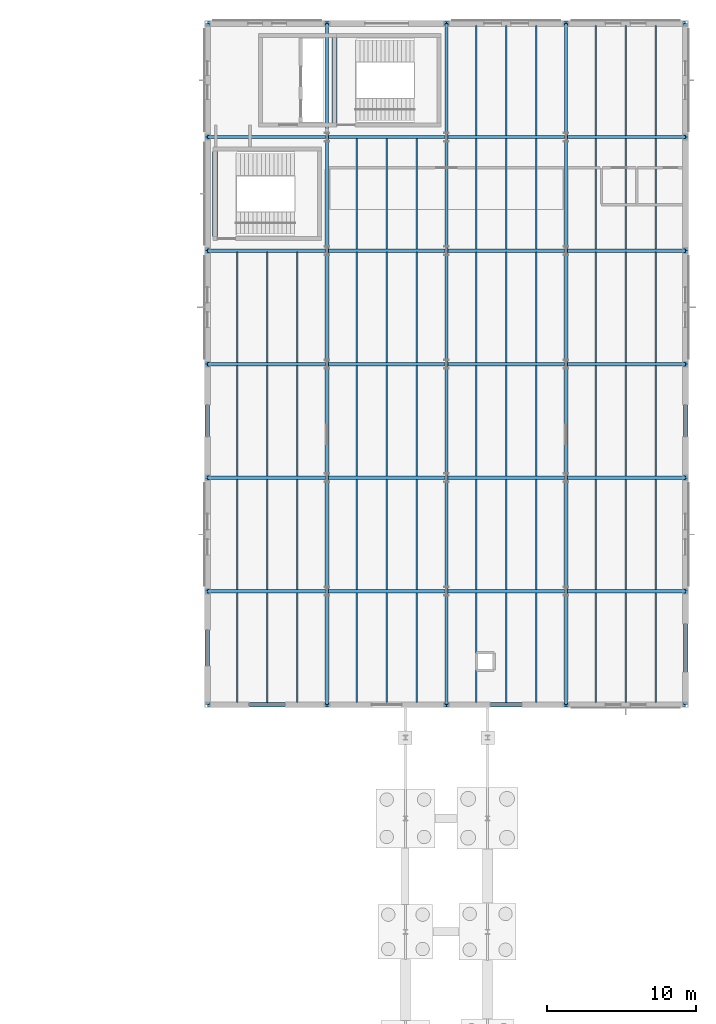
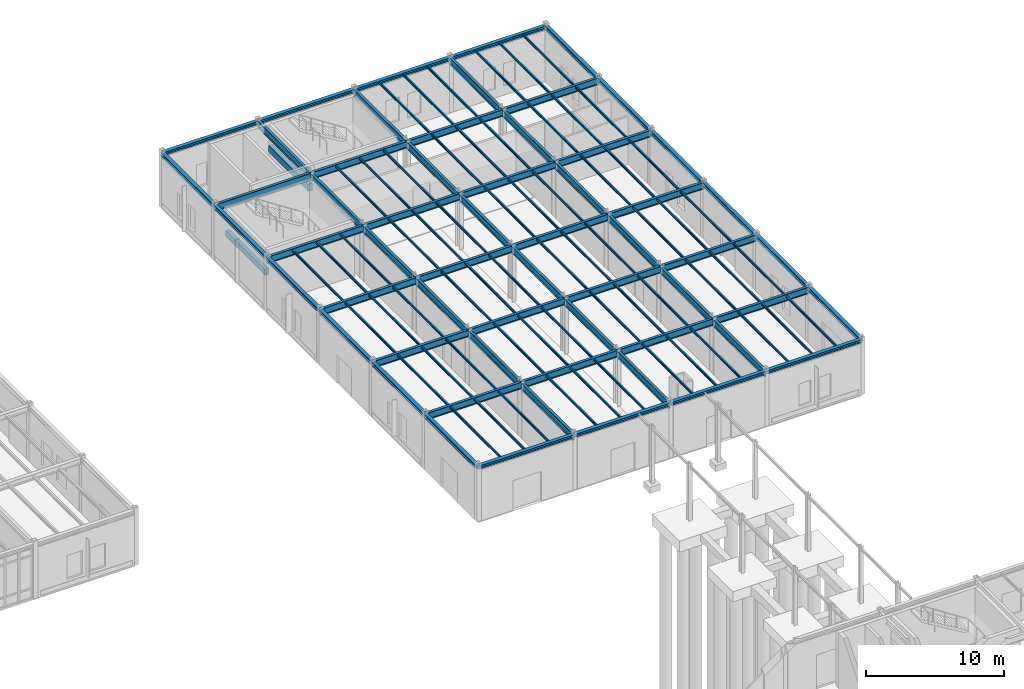
# One storey, part 71 of 109: 123 beams.
"""IFC4 building model written with IfcOpenShell, lengths in metres."""

from ifc_helpers import new_model, si_unit, direction, frame, origin, origin_2d, place, context, subcontext, project, spatial, rectangle, i_section, extrude, material, material_profile, profile_set, type_object, element, save


model = new_model("IFC4")

# Units and contexts
model_context = context("Model", 3, precision=1e-05, world=origin(), true_north=direction((0.0, 1.0)))
body_context = subcontext(model_context, "Body", "Model", "MODEL_VIEW")
ifc_project = project(units=[si_unit("LENGTHUNIT", "METRE"), si_unit("AREAUNIT", "SQUARE_METRE"), si_unit("VOLUMEUNIT", "CUBIC_METRE"), si_unit("PLANEANGLEUNIT", "RADIAN"), si_unit("MASSUNIT", "GRAM", prefix="KILO")], contexts=[model_context])

# Site, building, storey
site_placement = place(None, origin())
site = spatial("IfcSite", under=ifc_project, at=site_placement, CompositionType="ELEMENT")
building_placement = place(site_placement, origin())
building = spatial("IfcBuilding", under=site, at=building_placement, Name="Montecoro Central Library", CompositionType="ELEMENT")
storey_placement = place(building_placement, origin())
storey = spatial("IfcBuildingStorey", under=building, at=storey_placement, Name="L00", CompositionType="ELEMENT", Elevation=0.0)

# Beams
ifc_material_1 = material(Name="Steel S355J2", Category="steel")
ifc_material_profile_1 = material_profile(ifc_material_1, i_section(OverallWidth=0.219970703125, OverallDepth=0.60009765625, WebThickness=0.011962890625, FlangeThickness=0.01904296875, at=origin_2d()), Name="IPE 600")
ifc_profile_set_1 = profile_set([ifc_material_profile_1], Name="Steel S355J2")
beam_type_1 = type_object("IfcBeamType", Name="BM-G-IPE600", PredefinedType="USERDEFINED", material=ifc_profile_set_1)
for number, where, z_axis, x_axis, name in (
    (1, (141.0048828125, 81.0, 4.534912109375), (1.0, 0.0, 0.0), (0.0, 1.0, 0.0), "V5-L00-BX-1819-L"),
    (2, (149.0048828125, 81.0, 4.534912109375), (1.0, 0.0, 0.0), (0.0, 1.0, 0.0), "V5-L00-BX-1920-L"),
    (3, (157.0048828125, 81.0, 4.534912109375), (1.0, 0.0, 0.0), (0.0, 1.0, 0.0), "V5-L00-BX-2021-L"),
    (4, (165.0048828125, 81.0, 4.534912109375), (1.0, 0.0, 0.0), (0.0, 1.0, 0.0), "V5-L00-BX-2122-L"),
    (5, (141.0048828125, 88.60009765625, 4.534912109375), (1.0, 0.0, 0.0), (0.0, 1.0, 0.0), "V5-L00-BX-1819-M"),
    (6, (149.0048828125, 88.60009765625, 4.534912109375), (1.0, 0.0, 0.0), (0.0, 1.0, 0.0), "V5-L00-BX-1920-M"),
    (7, (157.0048828125, 88.60009765625, 4.534912109375), (1.0, 0.0, 0.0), (0.0, 1.0, 0.0), "V5-L00-BX-2021-M"),
    (8, (165.0048828125, 88.60009765625, 4.534912109375), (1.0, 0.0, 0.0), (0.0, 1.0, 0.0), "V5-L00-BX-2122-M"),
    (9, (141.0048828125, 96.199951171875, 4.534912109375), (1.0, 0.0, 0.0), (0.0, 1.0, 0.0), "V5-L00-BX-1819-N"),
    (10, (149.0048828125, 96.199951171875, 4.534912109375), (1.0, 0.0, 0.0), (0.0, 1.0, 0.0), "V5-L00-BX-1920-N"),
    (11, (157.0048828125, 96.199951171875, 4.534912109375), (1.0, 0.0, 0.0), (0.0, 1.0, 0.0), "V5-L00-BX-2021-N"),
    (12, (165.0048828125, 96.199951171875, 4.534912109375), (1.0, 0.0, 0.0), (0.0, 1.0, 0.0), "V5-L00-BX-2122-N"),
    (13, (141.0048828125, 103.800048828125, 4.534912109375), (1.0, 0.0, 0.0), (0.0, 1.0, 0.0), "V5-L00-BX-1819-P"),
    (14, (149.0048828125, 103.800048828125, 4.534912109375), (1.0, 0.0, 0.0), (0.0, 1.0, 0.0), "V5-L00-BX-1920-P"),
    (15, (157.0048828125, 103.800048828125, 4.534912109375), (1.0, 0.0, 0.0), (0.0, 1.0, 0.0), "V5-L00-BX-2021-P"),
    (16, (165.0048828125, 103.800048828125, 4.534912109375), (1.0, 0.0, 0.0), (0.0, 1.0, 0.0), "V5-L00-BX-2122-P"),
    (17, (141.0048828125, 111.39990234375, 4.534912109375), (1.0, 0.0, 0.0), (0.0, 1.0, 0.0), "V5-L00-BX-1819-Q"),
    (18, (149.0048828125, 111.39990234375, 4.534912109375), (1.0, 0.0, 0.0), (0.0, 1.0, 0.0), "V5-L00-BX-1920-Q"),
    (19, (157.0048828125, 111.39990234375, 4.534912109375), (1.0, 0.0, 0.0), (0.0, 1.0, 0.0), "V5-L00-BX-2021-Q"),
    (20, (165.0048828125, 111.39990234375, 4.534912109375), (1.0, 0.0, 0.0), (0.0, 1.0, 0.0), "V5-L00-BX-2122-Q"),
):
    element("IfcBeam", number, at=place(storey_placement, frame(where, z_axis=z_axis, x_axis=x_axis)), inside=storey, type_object=beam_type_1, Name=name, ObjectType="GIRDER", PredefinedType="USERDEFINED", context=body_context, shape_type="SweptSolid", body=[
        extrude(i_section(OverallWidth=0.219970703125, OverallDepth=0.60009765625, WebThickness=0.011962890625, FlangeThickness=0.01904296875, at=origin_2d()), origin(), (0.0, 0.0, 1.0), 7.990234375),
    ])
for number, where, z_axis, x_axis, name in (
    (21, (149.0, 73.405029296875, 4.534912109375), (0.0, 1.0, 0.0), (-1.0, 0.0, 0.0), "V5-L00-BY-19-KL"),
    (22, (149.0, 81.0048828125, 4.534912109375), (0.0, 1.0, 0.0), (-1.0, 0.0, 0.0), "V5-L00-BY-19-LM"),
    (23, (149.0, 88.60498046875, 4.534912109375), (0.0, 1.0, 0.0), (-1.0, 0.0, 0.0), "V5-L00-BY-19-MN"),
):
    element("IfcBeam", number, at=place(storey_placement, frame(where, z_axis=z_axis, x_axis=x_axis)), inside=storey, type_object=beam_type_1, Name=name, ObjectType="GIRDER", PredefinedType="USERDEFINED", context=body_context, shape_type="SweptSolid", body=[
        extrude(i_section(OverallWidth=0.219970703125, OverallDepth=0.60009765625, WebThickness=0.011962890625, FlangeThickness=0.01904296875, at=origin_2d()), origin(), (0.0, 0.0, 1.0), 7.590087890625),
    ])
beam_1_placement = place(storey_placement, frame((149.0, 96.205078125, 4.534912109375), z_axis=(0.0, 1.0, 0.0), x_axis=(-1.0, 0.0, 0.0)))
element("IfcBeam", 24, at=beam_1_placement, inside=storey, type_object=beam_type_1, Name="V5-L00-BY-19-NP", ObjectType="GIRDER", PredefinedType="USERDEFINED", context=body_context, shape_type="SweptSolid", body=[
    extrude(i_section(OverallWidth=0.219970703125, OverallDepth=0.60009765625, WebThickness=0.011962890625, FlangeThickness=0.01904296875, at=origin_2d()), origin(), (0.0, 0.0, 1.0), 7.58984375),
])
for number, where, z_axis, x_axis, name in (
    (25, (149.0, 103.804931640625, 4.534912109375), (0.0, 1.0, 0.0), (-1.0, 0.0, 0.0), "V5-L00-BY-19-PQ"),
    (26, (149.0, 111.405029296875, 4.534912109375), (0.0, 1.0, 0.0), (-1.0, 0.0, 0.0), "V5-L00-BY-19-QR"),
    (27, (157.0, 73.405029296875, 4.534912109375), (0.0, 1.0, 0.0), (-1.0, 0.0, 0.0), "V5-L00-BY-20-KL"),
    (28, (157.0, 81.0048828125, 4.534912109375), (0.0, 1.0, 0.0), (-1.0, 0.0, 0.0), "V5-L00-BY-20-LM"),
    (29, (157.0, 88.60498046875, 4.534912109375), (0.0, 1.0, 0.0), (-1.0, 0.0, 0.0), "V5-L00-BY-20-MN"),
):
    element("IfcBeam", number, at=place(storey_placement, frame(where, z_axis=z_axis, x_axis=x_axis)), inside=storey, type_object=beam_type_1, Name=name, ObjectType="GIRDER", PredefinedType="USERDEFINED", context=body_context, shape_type="SweptSolid", body=[
        extrude(i_section(OverallWidth=0.219970703125, OverallDepth=0.60009765625, WebThickness=0.011962890625, FlangeThickness=0.01904296875, at=origin_2d()), origin(), (0.0, 0.0, 1.0), 7.590087890625),
    ])
beam_2_placement = place(storey_placement, frame((157.0, 96.205078125, 4.534912109375), z_axis=(0.0, 1.0, 0.0), x_axis=(-1.0, 0.0, 0.0)))
element("IfcBeam", 30, at=beam_2_placement, inside=storey, type_object=beam_type_1, Name="V5-L00-BY-20-NP", ObjectType="GIRDER", PredefinedType="USERDEFINED", context=body_context, shape_type="SweptSolid", body=[
    extrude(i_section(OverallWidth=0.219970703125, OverallDepth=0.60009765625, WebThickness=0.011962890625, FlangeThickness=0.01904296875, at=origin_2d()), origin(), (0.0, 0.0, 1.0), 7.58984375),
])
for number, where, z_axis, x_axis, name in (
    (31, (157.0, 103.804931640625, 4.534912109375), (0.0, 1.0, 0.0), (-1.0, 0.0, 0.0), "V5-L00-BY-20-PQ"),
    (32, (157.0, 111.405029296875, 4.534912109375), (0.0, 1.0, 0.0), (-1.0, 0.0, 0.0), "V5-L00-BY-20-QR"),
    (33, (165.0, 73.405029296875, 4.534912109375), (0.0, 1.0, 0.0), (-1.0, 0.0, 0.0), "V5-L00-BY-21-KL"),
    (34, (165.0, 81.0048828125, 4.534912109375), (0.0, 1.0, 0.0), (-1.0, 0.0, 0.0), "V5-L00-BY-21-LM"),
    (35, (165.0, 88.60498046875, 4.534912109375), (0.0, 1.0, 0.0), (-1.0, 0.0, 0.0), "V5-L00-BY-21-MN"),
):
    element("IfcBeam", number, at=place(storey_placement, frame(where, z_axis=z_axis, x_axis=x_axis)), inside=storey, type_object=beam_type_1, Name=name, ObjectType="GIRDER", PredefinedType="USERDEFINED", context=body_context, shape_type="SweptSolid", body=[
        extrude(i_section(OverallWidth=0.219970703125, OverallDepth=0.60009765625, WebThickness=0.011962890625, FlangeThickness=0.01904296875, at=origin_2d()), origin(), (0.0, 0.0, 1.0), 7.590087890625),
    ])
beam_3_placement = place(storey_placement, frame((165.0, 96.205078125, 4.534912109375), z_axis=(0.0, 1.0, 0.0), x_axis=(-1.0, 0.0, 0.0)))
element("IfcBeam", 36, at=beam_3_placement, inside=storey, type_object=beam_type_1, Name="V5-L00-BY-21-NP", ObjectType="GIRDER", PredefinedType="USERDEFINED", context=body_context, shape_type="SweptSolid", body=[
    extrude(i_section(OverallWidth=0.219970703125, OverallDepth=0.60009765625, WebThickness=0.011962890625, FlangeThickness=0.01904296875, at=origin_2d()), origin(), (0.0, 0.0, 1.0), 7.58984375),
])
for number, where, z_axis, x_axis, name in (
    (37, (165.0, 103.804931640625, 4.534912109375), (0.0, 1.0, 0.0), (-1.0, 0.0, 0.0), "V5-L00-BY-21-PQ"),
    (38, (165.0, 111.405029296875, 4.534912109375), (0.0, 1.0, 0.0), (-1.0, 0.0, 0.0), "V5-L00-BY-21-QR"),
):
    element("IfcBeam", number, at=place(storey_placement, frame(where, z_axis=z_axis, x_axis=x_axis)), inside=storey, type_object=beam_type_1, Name=name, ObjectType="GIRDER", PredefinedType="USERDEFINED", context=body_context, shape_type="SweptSolid", body=[
        extrude(i_section(OverallWidth=0.219970703125, OverallDepth=0.60009765625, WebThickness=0.011962890625, FlangeThickness=0.01904296875, at=origin_2d()), origin(), (0.0, 0.0, 1.0), 7.590087890625),
    ])
ifc_material_2 = material(Name="Steel S355", Category="steel")
ifc_material_profile_2 = material_profile(ifc_material_2, i_section(OverallWidth=0.10009765625, OverallDepth=0.199951171875, WebThickness=0.005615234375, FlangeThickness=0.008544921875, at=origin_2d()), Name="IPE 200")
ifc_profile_set_2 = profile_set([ifc_material_profile_2], Name="Steel S355")
beam_type_2 = type_object("IfcBeamType", Name="BM-J-IPE200", PredefinedType="JOIST", material=ifc_profile_set_2)
for number, where, z_axis, x_axis, name in (
    (39, (143.0, 73.547119140625, 4.735107421875), (0.0, 1.0, 0.0), (-1.0, 0.0, 0.0), "V5-L00-JS-1819-KL-1"),
    (40, (145.0, 73.547119140625, 4.735107421875), (0.0, 1.0, 0.0), (-1.0, 0.0, 0.0), "V5-L00-JS-1819-KL-2"),
    (41, (147.0, 73.547119140625, 4.735107421875), (0.0, 1.0, 0.0), (-1.0, 0.0, 0.0), "V5-L00-JS-1819-KL-3"),
):
    element("IfcBeam", number, at=place(storey_placement, frame(where, z_axis=z_axis, x_axis=x_axis)), inside=storey, type_object=beam_type_2, Name=name, PredefinedType="JOIST", context=body_context, shape_type="SweptSolid", body=[
        extrude(i_section(OverallWidth=0.10009765625, OverallDepth=0.199951171875, WebThickness=0.005615234375, FlangeThickness=0.008544921875, at=origin_2d()), origin(), (0.0, 0.0, 1.0), 7.345947265625),
    ])
for number, where, z_axis, x_axis, name in (
    (42, (143.0, 81.10693359375, 4.735107421875), (0.0, 1.0, 0.0), (-1.0, 0.0, 0.0), "V5-L00-JS-1819-LM-1"),
    (43, (145.0, 81.10693359375, 4.735107421875), (0.0, 1.0, 0.0), (-1.0, 0.0, 0.0), "V5-L00-JS-1819-LM-2"),
    (44, (147.0, 81.10693359375, 4.735107421875), (0.0, 1.0, 0.0), (-1.0, 0.0, 0.0), "V5-L00-JS-1819-LM-3"),
    (45, (143.0, 88.70703125, 4.735107421875), (0.0, 1.0, 0.0), (-1.0, 0.0, 0.0), "V5-L00-JS-1819-MN-1"),
    (46, (145.0, 88.70703125, 4.735107421875), (0.0, 1.0, 0.0), (-1.0, 0.0, 0.0), "V5-L00-JS-1819-MN-2"),
    (47, (147.0, 88.70703125, 4.735107421875), (0.0, 1.0, 0.0), (-1.0, 0.0, 0.0), "V5-L00-JS-1819-MN-3"),
):
    element("IfcBeam", number, at=place(storey_placement, frame(where, z_axis=z_axis, x_axis=x_axis)), inside=storey, type_object=beam_type_2, Name=name, PredefinedType="JOIST", context=body_context, shape_type="SweptSolid", body=[
        extrude(i_section(OverallWidth=0.10009765625, OverallDepth=0.199951171875, WebThickness=0.005615234375, FlangeThickness=0.008544921875, at=origin_2d()), origin(), (0.0, 0.0, 1.0), 7.385986328125),
    ])
for number, where, z_axis, x_axis, name in (
    (48, (143.0, 96.306884765625, 4.735107421875), (0.0, 1.0, 0.0), (-1.0, 0.0, 0.0), "V5-L00-JS-1819-NP-1"),
    (49, (145.0, 96.306884765625, 4.735107421875), (0.0, 1.0, 0.0), (-1.0, 0.0, 0.0), "V5-L00-JS-1819-NP-2"),
    (50, (147.0, 96.306884765625, 4.735107421875), (0.0, 1.0, 0.0), (-1.0, 0.0, 0.0), "V5-L00-JS-1819-NP-3"),
):
    element("IfcBeam", number, at=place(storey_placement, frame(where, z_axis=z_axis, x_axis=x_axis)), inside=storey, type_object=beam_type_2, Name=name, PredefinedType="JOIST", context=body_context, shape_type="SweptSolid", body=[
        extrude(i_section(OverallWidth=0.10009765625, OverallDepth=0.199951171875, WebThickness=0.005615234375, FlangeThickness=0.008544921875, at=origin_2d()), origin(), (0.0, 0.0, 1.0), 7.38623046875),
    ])
for number, where, z_axis, x_axis, name in (
    (51, (151.0, 73.547119140625, 4.735107421875), (0.0, 1.0, 0.0), (-1.0, 0.0, 0.0), "V5-L00-JS-1920-KL-1"),
    (52, (153.0, 73.547119140625, 4.735107421875), (0.0, 1.0, 0.0), (-1.0, 0.0, 0.0), "V5-L00-JS-1920-KL-2"),
    (53, (155.0, 73.547119140625, 4.735107421875), (0.0, 1.0, 0.0), (-1.0, 0.0, 0.0), "V5-L00-JS-1920-KL-3"),
):
    element("IfcBeam", number, at=place(storey_placement, frame(where, z_axis=z_axis, x_axis=x_axis)), inside=storey, type_object=beam_type_2, Name=name, PredefinedType="JOIST", context=body_context, shape_type="SweptSolid", body=[
        extrude(i_section(OverallWidth=0.10009765625, OverallDepth=0.199951171875, WebThickness=0.005615234375, FlangeThickness=0.008544921875, at=origin_2d()), origin(), (0.0, 0.0, 1.0), 7.345947265625),
    ])
for number, where, z_axis, x_axis, name in (
    (54, (151.0, 81.10693359375, 4.735107421875), (0.0, 1.0, 0.0), (-1.0, 0.0, 0.0), "V5-L00-JS-1920-LM-1"),
    (55, (153.0, 81.10693359375, 4.735107421875), (0.0, 1.0, 0.0), (-1.0, 0.0, 0.0), "V5-L00-JS-1920-LM-2"),
    (56, (155.0, 81.10693359375, 4.735107421875), (0.0, 1.0, 0.0), (-1.0, 0.0, 0.0), "V5-L00-JS-1920-LM-3"),
    (57, (151.0, 88.70703125, 4.735107421875), (0.0, 1.0, 0.0), (-1.0, 0.0, 0.0), "V5-L00-JS-1920-MN-1"),
    (58, (153.0, 88.70703125, 4.735107421875), (0.0, 1.0, 0.0), (-1.0, 0.0, 0.0), "V5-L00-JS-1920-MN-2"),
    (59, (155.0, 88.70703125, 4.735107421875), (0.0, 1.0, 0.0), (-1.0, 0.0, 0.0), "V5-L00-JS-1920-MN-3"),
):
    element("IfcBeam", number, at=place(storey_placement, frame(where, z_axis=z_axis, x_axis=x_axis)), inside=storey, type_object=beam_type_2, Name=name, PredefinedType="JOIST", context=body_context, shape_type="SweptSolid", body=[
        extrude(i_section(OverallWidth=0.10009765625, OverallDepth=0.199951171875, WebThickness=0.005615234375, FlangeThickness=0.008544921875, at=origin_2d()), origin(), (0.0, 0.0, 1.0), 7.385986328125),
    ])
for number, where, z_axis, x_axis, name in (
    (60, (151.0, 96.306884765625, 4.735107421875), (0.0, 1.0, 0.0), (-1.0, 0.0, 0.0), "V5-L00-JS-1920-NP-1"),
    (61, (153.0, 96.306884765625, 4.735107421875), (0.0, 1.0, 0.0), (-1.0, 0.0, 0.0), "V5-L00-JS-1920-NP-2"),
    (62, (155.0, 96.306884765625, 4.735107421875), (0.0, 1.0, 0.0), (-1.0, 0.0, 0.0), "V5-L00-JS-1920-NP-3"),
):
    element("IfcBeam", number, at=place(storey_placement, frame(where, z_axis=z_axis, x_axis=x_axis)), inside=storey, type_object=beam_type_2, Name=name, PredefinedType="JOIST", context=body_context, shape_type="SweptSolid", body=[
        extrude(i_section(OverallWidth=0.10009765625, OverallDepth=0.199951171875, WebThickness=0.005615234375, FlangeThickness=0.008544921875, at=origin_2d()), origin(), (0.0, 0.0, 1.0), 7.38623046875),
    ])
for number, where, z_axis, x_axis, name in (
    (63, (151.0, 103.906982421875, 4.735107421875), (0.0, 1.0, 0.0), (-1.0, 0.0, 0.0), "V5-L00-JS-1920-PQ-1"),
    (64, (153.0, 103.906982421875, 4.735107421875), (0.0, 1.0, 0.0), (-1.0, 0.0, 0.0), "V5-L00-JS-1920-PQ-2"),
    (65, (155.0, 103.906982421875, 4.735107421875), (0.0, 1.0, 0.0), (-1.0, 0.0, 0.0), "V5-L00-JS-1920-PQ-3"),
):
    element("IfcBeam", number, at=place(storey_placement, frame(where, z_axis=z_axis, x_axis=x_axis)), inside=storey, type_object=beam_type_2, Name=name, PredefinedType="JOIST", context=body_context, shape_type="SweptSolid", body=[
        extrude(i_section(OverallWidth=0.10009765625, OverallDepth=0.199951171875, WebThickness=0.005615234375, FlangeThickness=0.008544921875, at=origin_2d()), origin(), (0.0, 0.0, 1.0), 7.385986328125),
    ])
for number, where, z_axis, x_axis, name in (
    (66, (159.0, 73.547119140625, 4.735107421875), (0.0, 1.0, 0.0), (-1.0, 0.0, 0.0), "V5-L00-JS-2021-KL-1"),
    (67, (161.0, 73.547119140625, 4.735107421875), (0.0, 1.0, 0.0), (-1.0, 0.0, 0.0), "V5-L00-JS-2021-KL-2"),
    (68, (163.0, 73.547119140625, 4.735107421875), (0.0, 1.0, 0.0), (-1.0, 0.0, 0.0), "V5-L00-JS-2021-KL-3"),
):
    element("IfcBeam", number, at=place(storey_placement, frame(where, z_axis=z_axis, x_axis=x_axis)), inside=storey, type_object=beam_type_2, Name=name, PredefinedType="JOIST", context=body_context, shape_type="SweptSolid", body=[
        extrude(i_section(OverallWidth=0.10009765625, OverallDepth=0.199951171875, WebThickness=0.005615234375, FlangeThickness=0.008544921875, at=origin_2d()), origin(), (0.0, 0.0, 1.0), 7.345947265625),
    ])
for number, where, z_axis, x_axis, name in (
    (69, (159.0, 81.10693359375, 4.735107421875), (0.0, 1.0, 0.0), (-1.0, 0.0, 0.0), "V5-L00-JS-2021-LM-1"),
    (70, (161.0, 81.10693359375, 4.735107421875), (0.0, 1.0, 0.0), (-1.0, 0.0, 0.0), "V5-L00-JS-2021-LM-2"),
    (71, (163.0, 81.10693359375, 4.735107421875), (0.0, 1.0, 0.0), (-1.0, 0.0, 0.0), "V5-L00-JS-2021-LM-3"),
    (72, (159.0, 88.70703125, 4.735107421875), (0.0, 1.0, 0.0), (-1.0, 0.0, 0.0), "V5-L00-JS-2021-MN-1"),
    (73, (161.0, 88.70703125, 4.735107421875), (0.0, 1.0, 0.0), (-1.0, 0.0, 0.0), "V5-L00-JS-2021-MN-2"),
    (74, (163.0, 88.70703125, 4.735107421875), (0.0, 1.0, 0.0), (-1.0, 0.0, 0.0), "V5-L00-JS-2021-MN-3"),
):
    element("IfcBeam", number, at=place(storey_placement, frame(where, z_axis=z_axis, x_axis=x_axis)), inside=storey, type_object=beam_type_2, Name=name, PredefinedType="JOIST", context=body_context, shape_type="SweptSolid", body=[
        extrude(i_section(OverallWidth=0.10009765625, OverallDepth=0.199951171875, WebThickness=0.005615234375, FlangeThickness=0.008544921875, at=origin_2d()), origin(), (0.0, 0.0, 1.0), 7.385986328125),
    ])
for number, where, z_axis, x_axis, name in (
    (75, (159.0, 96.306884765625, 4.735107421875), (0.0, 1.0, 0.0), (-1.0, 0.0, 0.0), "V5-L00-JS-2021-NP-1"),
    (76, (161.0, 96.306884765625, 4.735107421875), (0.0, 1.0, 0.0), (-1.0, 0.0, 0.0), "V5-L00-JS-2021-NP-2"),
    (77, (163.0, 96.306884765625, 4.735107421875), (0.0, 1.0, 0.0), (-1.0, 0.0, 0.0), "V5-L00-JS-2021-NP-3"),
):
    element("IfcBeam", number, at=place(storey_placement, frame(where, z_axis=z_axis, x_axis=x_axis)), inside=storey, type_object=beam_type_2, Name=name, PredefinedType="JOIST", context=body_context, shape_type="SweptSolid", body=[
        extrude(i_section(OverallWidth=0.10009765625, OverallDepth=0.199951171875, WebThickness=0.005615234375, FlangeThickness=0.008544921875, at=origin_2d()), origin(), (0.0, 0.0, 1.0), 7.38623046875),
    ])
for number, where, z_axis, x_axis, name in (
    (78, (159.0, 103.906982421875, 4.735107421875), (0.0, 1.0, 0.0), (-1.0, 0.0, 0.0), "V5-L00-JS-2021-PQ-1"),
    (79, (161.0, 103.906982421875, 4.735107421875), (0.0, 1.0, 0.0), (-1.0, 0.0, 0.0), "V5-L00-JS-2021-PQ-2"),
    (80, (163.0, 103.906982421875, 4.735107421875), (0.0, 1.0, 0.0), (-1.0, 0.0, 0.0), "V5-L00-JS-2021-PQ-3"),
):
    element("IfcBeam", number, at=place(storey_placement, frame(where, z_axis=z_axis, x_axis=x_axis)), inside=storey, type_object=beam_type_2, Name=name, PredefinedType="JOIST", context=body_context, shape_type="SweptSolid", body=[
        extrude(i_section(OverallWidth=0.10009765625, OverallDepth=0.199951171875, WebThickness=0.005615234375, FlangeThickness=0.008544921875, at=origin_2d()), origin(), (0.0, 0.0, 1.0), 7.385986328125),
    ])
for number, where, z_axis, x_axis, name in (
    (81, (159.0, 111.507080078125, 4.735107421875), (0.0, 1.0, 0.0), (-1.0, 0.0, 0.0), "V5-L00-JS-2021-QR-1"),
    (82, (161.0, 111.507080078125, 4.735107421875), (0.0, 1.0, 0.0), (-1.0, 0.0, 0.0), "V5-L00-JS-2021-QR-2"),
    (83, (163.0, 111.507080078125, 4.735107421875), (0.0, 1.0, 0.0), (-1.0, 0.0, 0.0), "V5-L00-JS-2021-QR-3"),
    (84, (167.0, 73.547119140625, 4.735107421875), (0.0, 1.0, 0.0), (-1.0, 0.0, 0.0), "V5-L00-JS-2122-KL-1"),
    (85, (169.0, 73.547119140625, 4.735107421875), (0.0, 1.0, 0.0), (-1.0, 0.0, 0.0), "V5-L00-JS-2122-KL-2"),
    (86, (171.0, 73.547119140625, 4.735107421875), (0.0, 1.0, 0.0), (-1.0, 0.0, 0.0), "V5-L00-JS-2122-KL-3"),
):
    element("IfcBeam", number, at=place(storey_placement, frame(where, z_axis=z_axis, x_axis=x_axis)), inside=storey, type_object=beam_type_2, Name=name, PredefinedType="JOIST", context=body_context, shape_type="SweptSolid", body=[
        extrude(i_section(OverallWidth=0.10009765625, OverallDepth=0.199951171875, WebThickness=0.005615234375, FlangeThickness=0.008544921875, at=origin_2d()), origin(), (0.0, 0.0, 1.0), 7.345947265625),
    ])
for number, where, z_axis, x_axis, name in (
    (87, (167.0, 81.10693359375, 4.735107421875), (0.0, 1.0, 0.0), (-1.0, 0.0, 0.0), "V5-L00-JS-2122-LM-1"),
    (88, (169.0, 81.10693359375, 4.735107421875), (0.0, 1.0, 0.0), (-1.0, 0.0, 0.0), "V5-L00-JS-2122-LM-2"),
    (89, (171.0, 81.10693359375, 4.735107421875), (0.0, 1.0, 0.0), (-1.0, 0.0, 0.0), "V5-L00-JS-2122-LM-3"),
    (90, (167.0, 88.70703125, 4.735107421875), (0.0, 1.0, 0.0), (-1.0, 0.0, 0.0), "V5-L00-JS-2122-MN-1"),
    (91, (169.0, 88.70703125, 4.735107421875), (0.0, 1.0, 0.0), (-1.0, 0.0, 0.0), "V5-L00-JS-2122-MN-2"),
    (92, (171.0, 88.70703125, 4.735107421875), (0.0, 1.0, 0.0), (-1.0, 0.0, 0.0), "V5-L00-JS-2122-MN-3"),
):
    element("IfcBeam", number, at=place(storey_placement, frame(where, z_axis=z_axis, x_axis=x_axis)), inside=storey, type_object=beam_type_2, Name=name, PredefinedType="JOIST", context=body_context, shape_type="SweptSolid", body=[
        extrude(i_section(OverallWidth=0.10009765625, OverallDepth=0.199951171875, WebThickness=0.005615234375, FlangeThickness=0.008544921875, at=origin_2d()), origin(), (0.0, 0.0, 1.0), 7.385986328125),
    ])
for number, where, z_axis, x_axis, name in (
    (93, (167.0, 96.306884765625, 4.735107421875), (0.0, 1.0, 0.0), (-1.0, 0.0, 0.0), "V5-L00-JS-2122-NP-1"),
    (94, (169.0, 96.306884765625, 4.735107421875), (0.0, 1.0, 0.0), (-1.0, 0.0, 0.0), "V5-L00-JS-2122-NP-2"),
    (95, (171.0, 96.306884765625, 4.735107421875), (0.0, 1.0, 0.0), (-1.0, 0.0, 0.0), "V5-L00-JS-2122-NP-3"),
):
    element("IfcBeam", number, at=place(storey_placement, frame(where, z_axis=z_axis, x_axis=x_axis)), inside=storey, type_object=beam_type_2, Name=name, PredefinedType="JOIST", context=body_context, shape_type="SweptSolid", body=[
        extrude(i_section(OverallWidth=0.10009765625, OverallDepth=0.199951171875, WebThickness=0.005615234375, FlangeThickness=0.008544921875, at=origin_2d()), origin(), (0.0, 0.0, 1.0), 7.38623046875),
    ])
for number, where, z_axis, x_axis, name in (
    (96, (167.0, 103.906982421875, 4.735107421875), (0.0, 1.0, 0.0), (-1.0, 0.0, 0.0), "V5-L00-JS-2122-PQ-1"),
    (97, (169.0, 103.906982421875, 4.735107421875), (0.0, 1.0, 0.0), (-1.0, 0.0, 0.0), "V5-L00-JS-2122-PQ-2"),
    (98, (171.0, 103.906982421875, 4.735107421875), (0.0, 1.0, 0.0), (-1.0, 0.0, 0.0), "V5-L00-JS-2122-PQ-3"),
):
    element("IfcBeam", number, at=place(storey_placement, frame(where, z_axis=z_axis, x_axis=x_axis)), inside=storey, type_object=beam_type_2, Name=name, PredefinedType="JOIST", context=body_context, shape_type="SweptSolid", body=[
        extrude(i_section(OverallWidth=0.10009765625, OverallDepth=0.199951171875, WebThickness=0.005615234375, FlangeThickness=0.008544921875, at=origin_2d()), origin(), (0.0, 0.0, 1.0), 7.385986328125),
    ])
for number, where, z_axis, x_axis, name in (
    (99, (167.0, 111.507080078125, 4.735107421875), (0.0, 1.0, 0.0), (-1.0, 0.0, 0.0), "V5-L00-JS-2122-QR-1"),
    (100, (169.0, 111.507080078125, 4.735107421875), (0.0, 1.0, 0.0), (-1.0, 0.0, 0.0), "V5-L00-JS-2122-QR-2"),
    (101, (171.0, 111.507080078125, 4.735107421875), (0.0, 1.0, 0.0), (-1.0, 0.0, 0.0), "V5-L00-JS-2122-QR-3"),
):
    element("IfcBeam", number, at=place(storey_placement, frame(where, z_axis=z_axis, x_axis=x_axis)), inside=storey, type_object=beam_type_2, Name=name, PredefinedType="JOIST", context=body_context, shape_type="SweptSolid", body=[
        extrude(i_section(OverallWidth=0.10009765625, OverallDepth=0.199951171875, WebThickness=0.005615234375, FlangeThickness=0.008544921875, at=origin_2d()), origin(), (0.0, 0.0, 1.0), 7.345947265625),
    ])
ifc_material_3 = material(Name="Concrete C35/45", Category="concrete")
ifc_material_profile_3 = material_profile(ifc_material_3, rectangle(XDim=0.35009765625, YDim=0.60009765625, at=origin_2d()), Name="RC LNT 600x350")
ifc_profile_set_3 = profile_set([ifc_material_profile_3], Name="Concrete C35/45")
beam_type_3 = type_object("IfcBeamType", Name="BM-LN-RC01", PredefinedType="LINTEL", material=ifc_profile_set_3)
beam_4_placement = place(storey_placement, frame((149.5, 112.35009765625, 2.75), z_axis=(0.0, 1.0, 0.0), x_axis=(-1.0, 0.0, 0.0)))
element("IfcBeam", 102, at=beam_4_placement, inside=storey, type_object=beam_type_3, Name="C6-L00-LNT", PredefinedType="LINTEL", context=body_context, shape_type="SweptSolid", body=[
    extrude(rectangle(XDim=0.35009765625, YDim=0.60009765625, at=origin_2d()), origin(), (0.0, 0.0, 1.0), 5.699951171875),
])
ifc_material_profile_4 = material_profile(ifc_material_3, rectangle(XDim=0.320068359375, YDim=0.5, at=origin_2d()), Name="RC LNT 500x320")
ifc_profile_set_4 = profile_set([ifc_material_profile_4], Name="Concrete C35/45")
beam_type_4 = type_object("IfcBeamType", Name="BM-LN-RC03", PredefinedType="LINTEL", material=ifc_profile_set_4)
beam_5_placement = place(storey_placement, frame((141.5, 104.75, 2.699951171875), z_axis=(0.0, 1.0, 0.0), x_axis=(-1.0, 0.0, 0.0)))
element("IfcBeam", 103, at=beam_5_placement, inside=storey, type_object=beam_type_4, Name="C8-L00-LNT", PredefinedType="LINTEL", context=body_context, shape_type="SweptSolid", body=[
    extrude(rectangle(XDim=0.320068359375, YDim=0.5, at=origin_2d()), origin(), (0.0, 0.0, 1.0), 5.699951171875),
])
ifc_material_profile_5 = material_profile(ifc_material_2, i_section(OverallWidth=0.300048828125, OverallDepth=0.2900390625, WebThickness=0.008544921875, FlangeThickness=0.013916015625, at=origin_2d()), Name="HEA 300")
ifc_profile_set_5 = profile_set([ifc_material_profile_5], Name="Steel S355")
beam_type_5 = type_object("IfcBeamType", Name="BM-SP-HEA300", PredefinedType="SPANDREL", material=ifc_profile_set_5)
for number, where, z_axis, x_axis, name in (
    (104, (141.0048828125, 73.39990234375, 4.68994140625), (1.0, 0.0, 0.0), (0.0, 1.0, 0.0), "V5-L00-BX-1819-K"),
    (105, (149.0048828125, 73.39990234375, 4.68994140625), (1.0, 0.0, 0.0), (0.0, 1.0, 0.0), "V5-L00-BX-1920-K"),
    (106, (157.0048828125, 73.39990234375, 4.68994140625), (1.0, 0.0, 0.0), (0.0, 1.0, 0.0), "V5-L00-BX-2021-K"),
    (107, (165.0048828125, 73.39990234375, 4.68994140625), (1.0, 0.0, 0.0), (0.0, 1.0, 0.0), "V5-L00-BX-2122-K"),
    (108, (141.0048828125, 119.0, 4.68994140625), (1.0, 0.0, 0.0), (0.0, 1.0, 0.0), "V5-L00-BX-1819-R"),
    (109, (149.0048828125, 119.0, 4.68994140625), (1.0, 0.0, 0.0), (0.0, 1.0, 0.0), "V5-L00-BX-1920-R"),
    (110, (157.0048828125, 119.0, 4.68994140625), (1.0, 0.0, 0.0), (0.0, 1.0, 0.0), "V5-L00-BX-2021-R"),
    (111, (165.0048828125, 119.0, 4.68994140625), (1.0, 0.0, 0.0), (0.0, 1.0, 0.0), "V5-L00-BX-2122-R"),
):
    element("IfcBeam", number, at=place(storey_placement, frame(where, z_axis=z_axis, x_axis=x_axis)), inside=storey, type_object=beam_type_5, Name=name, PredefinedType="SPANDREL", context=body_context, shape_type="SweptSolid", body=[
        extrude(i_section(OverallWidth=0.300048828125, OverallDepth=0.2900390625, WebThickness=0.008544921875, FlangeThickness=0.013916015625, at=origin_2d()), origin(), (0.0, 0.0, 1.0), 7.990234375),
    ])
for number, where, z_axis, x_axis, name in (
    (112, (141.0, 73.405029296875, 4.68994140625), (0.0, 1.0, 0.0), (-1.0, 0.0, 0.0), "V5-L00-BY-18-KL"),
    (113, (141.0, 81.0048828125, 4.68994140625), (0.0, 1.0, 0.0), (-1.0, 0.0, 0.0), "V5-L00-BY-18-LM"),
    (114, (141.0, 88.60498046875, 4.68994140625), (0.0, 1.0, 0.0), (-1.0, 0.0, 0.0), "V5-L00-BY-18-MN"),
):
    element("IfcBeam", number, at=place(storey_placement, frame(where, z_axis=z_axis, x_axis=x_axis)), inside=storey, type_object=beam_type_5, Name=name, PredefinedType="SPANDREL", context=body_context, shape_type="SweptSolid", body=[
        extrude(i_section(OverallWidth=0.300048828125, OverallDepth=0.2900390625, WebThickness=0.008544921875, FlangeThickness=0.013916015625, at=origin_2d()), origin(), (0.0, 0.0, 1.0), 7.590087890625),
    ])
beam_6_placement = place(storey_placement, frame((141.0, 96.205078125, 4.68994140625), z_axis=(0.0, 1.0, 0.0), x_axis=(-1.0, 0.0, 0.0)))
element("IfcBeam", 115, at=beam_6_placement, inside=storey, type_object=beam_type_5, Name="V5-L00-BY-18-NP", PredefinedType="SPANDREL", context=body_context, shape_type="SweptSolid", body=[
    extrude(i_section(OverallWidth=0.300048828125, OverallDepth=0.2900390625, WebThickness=0.008544921875, FlangeThickness=0.013916015625, at=origin_2d()), origin(), (0.0, 0.0, 1.0), 7.58984375),
])
for number, where, z_axis, x_axis, name in (
    (116, (141.0, 103.804931640625, 4.68994140625), (0.0, 1.0, 0.0), (-1.0, 0.0, 0.0), "V5-L00-BY-18-PQ"),
    (117, (141.0, 111.405029296875, 4.68994140625), (0.0, 1.0, 0.0), (-1.0, 0.0, 0.0), "V5-L00-BY-18-QR"),
    (118, (173.0, 73.405029296875, 4.68994140625), (0.0, 1.0, 0.0), (-1.0, 0.0, 0.0), "V5-L00-BY-22-KL"),
    (119, (173.0, 81.0048828125, 4.68994140625), (0.0, 1.0, 0.0), (-1.0, 0.0, 0.0), "V5-L00-BY-22-LM"),
    (120, (173.0, 88.60498046875, 4.68994140625), (0.0, 1.0, 0.0), (-1.0, 0.0, 0.0), "V5-L00-BY-22-MN"),
):
    element("IfcBeam", number, at=place(storey_placement, frame(where, z_axis=z_axis, x_axis=x_axis)), inside=storey, type_object=beam_type_5, Name=name, PredefinedType="SPANDREL", context=body_context, shape_type="SweptSolid", body=[
        extrude(i_section(OverallWidth=0.300048828125, OverallDepth=0.2900390625, WebThickness=0.008544921875, FlangeThickness=0.013916015625, at=origin_2d()), origin(), (0.0, 0.0, 1.0), 7.590087890625),
    ])
beam_7_placement = place(storey_placement, frame((173.0, 96.205078125, 4.68994140625), z_axis=(0.0, 1.0, 0.0), x_axis=(-1.0, 0.0, 0.0)))
element("IfcBeam", 121, at=beam_7_placement, inside=storey, type_object=beam_type_5, Name="V5-L00-BY-22-NP", PredefinedType="SPANDREL", context=body_context, shape_type="SweptSolid", body=[
    extrude(i_section(OverallWidth=0.300048828125, OverallDepth=0.2900390625, WebThickness=0.008544921875, FlangeThickness=0.013916015625, at=origin_2d()), origin(), (0.0, 0.0, 1.0), 7.58984375),
])
for number, where, z_axis, x_axis, name in (
    (122, (173.0, 103.804931640625, 4.68994140625), (0.0, 1.0, 0.0), (-1.0, 0.0, 0.0), "V5-L00-BY-22-PQ"),
    (123, (173.0, 111.405029296875, 4.68994140625), (0.0, 1.0, 0.0), (-1.0, 0.0, 0.0), "V5-L00-BY-22-QR"),
):
    element("IfcBeam", number, at=place(storey_placement, frame(where, z_axis=z_axis, x_axis=x_axis)), inside=storey, type_object=beam_type_5, Name=name, PredefinedType="SPANDREL", context=body_context, shape_type="SweptSolid", body=[
        extrude(i_section(OverallWidth=0.300048828125, OverallDepth=0.2900390625, WebThickness=0.008544921875, FlangeThickness=0.013916015625, at=origin_2d()), origin(), (0.0, 0.0, 1.0), 7.590087890625),
    ])

save(model, "model.ifc")
